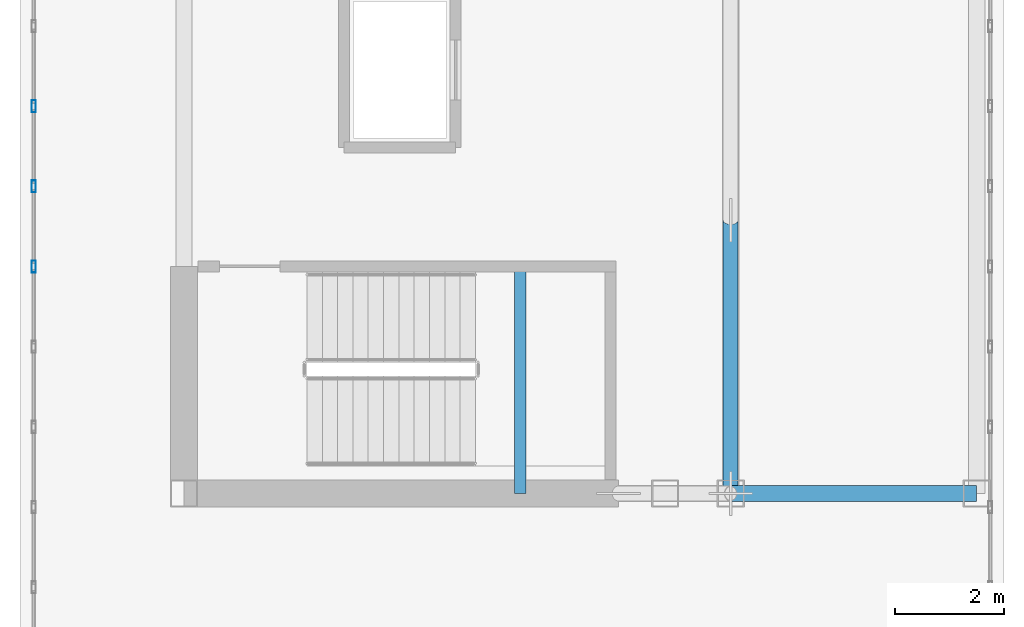
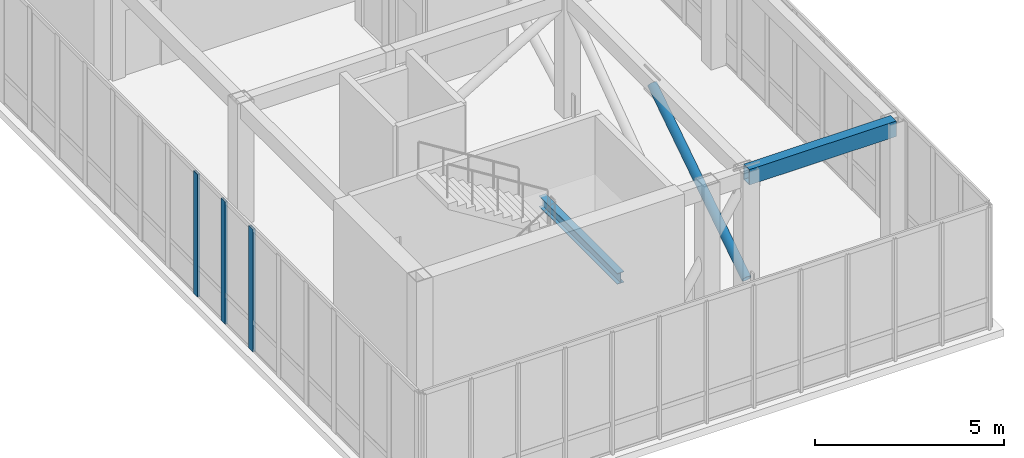
# One storey, part 3 of 13: 4 members, 2 beams, 1 element without a shape of its own.
"""IFC4 building model written with IfcOpenShell, lengths in metres."""

from ifc_helpers import new_model, si_unit, direction, frame, origin, origin_2d, place, context, subcontext, project, spatial, hollow_rectangle, hollow_circle, i_section, extrude, source, transform, mapped, material, layer, layer_set, material_profile, profile_set, type_object, element, aggregate, save


model = new_model("IFC4")

# Units and contexts
model_context = context("Model", 3, precision=1e-05, world=origin(), true_north=direction((0.0, 1.0)))
body_context = subcontext(model_context, "Body", "Model", "MODEL_VIEW")
ifc_project = project(units=[si_unit("LENGTHUNIT", "METRE"), si_unit("AREAUNIT", "SQUARE_METRE"), si_unit("VOLUMEUNIT", "CUBIC_METRE"), si_unit("PLANEANGLEUNIT", "RADIAN"), si_unit("MASSUNIT", "GRAM", prefix="KILO")], contexts=[model_context])

# Site, building, storey
site_placement = place(None, origin())
site = spatial("IfcSite", under=ifc_project, at=site_placement, CompositionType="ELEMENT")
building_placement = place(site_placement, origin())
building = spatial("IfcBuilding", under=site, at=building_placement, Name="Kharzan Plaza Tower", CompositionType="ELEMENT")
storey_placement = place(building_placement, frame((0.0, 0.0, 277.199951171875)))
storey = spatial("IfcBuildingStorey", under=building, at=storey_placement, Name="L75-CROWN", CompositionType="ELEMENT", Elevation=277.199951171875)

# Beams
ifc_material_1 = material(Name="Steel S355", Category="steel")
ifc_material_profile_1 = material_profile(ifc_material_1, i_section(OverallWidth=0.205078125, OverallDepth=0.35400390625, WebThickness=0.009521484375, FlangeThickness=0.016845703125, at=origin_2d()), Name="W360x79")
ifc_profile_set_1 = profile_set([ifc_material_profile_1], Name="Steel S355")
beam_type_1 = type_object("IfcBeamType", Name="BM-LNT360", PredefinedType="LINTEL", material=ifc_profile_set_1)
shared_shape_1 = source(origin(), body_context, "Body", "SweptSolid", [
    extrude(i_section(OverallWidth=0.205078125, OverallDepth=0.35400390625, WebThickness=0.009521484375, FlangeThickness=0.016845703125, at=origin_2d()), origin(), (0.0, 0.0, 1.0), 4.155029296875),
])
beam_1_placement = place(storey_placement, frame((10.64990234375, 8.5, 1.72314453125), z_axis=(0.0, 1.0, 0.0), x_axis=(-1.0, 0.0, 0.0)))
element("IfcBeam", 1, at=beam_1_placement, inside=storey, type_object=beam_type_1, Name="L75-CROWN Stair ST-1 Half-Landing Beam", PredefinedType="LINTEL", context=body_context, shape_type="MappedRepresentation", body=[
    mapped(shared_shape_1, transform((0.0, 0.0, 0.0), x_axis=(1.0, 0.0, 0.0), y_axis=(0.0, 1.0, 0.0), z_axis=(0.0, 0.0, 1.0))),
])
ifc_material_profile_2 = material_profile(ifc_material_1, hollow_rectangle(XDim=0.300048828125, YDim=0.5, WallThickness=0.02001953125, at=origin_2d()), Name="RHS500x300x20")
ifc_profile_set_2 = profile_set([ifc_material_profile_2], Name="Steel S355")
beam_type_2 = type_object("IfcBeamType", Name="BM-CRN500", PredefinedType="BEAM", material=ifc_profile_set_2)
shared_shape_2 = source(origin(), body_context, "Body", "SweptSolid", [
    extrude(hollow_rectangle(XDim=0.300048828125, YDim=0.5, WallThickness=0.02001953125, at=origin_2d()), origin(), (0.0, 0.0, 1.0), 4.5),
])
beam_2_placement = place(storey_placement, frame((14.5, 8.5, 3.719970703125), z_axis=(1.0, 0.0, 0.0), x_axis=(0.0, 1.0, 0.0)))
element("IfcBeam", 2, at=beam_2_placement, inside=storey, type_object=beam_type_2, Name="L75-CROWN CROWN FRAME Lantern Ring Beam CRB-S3", PredefinedType="BEAM", context=body_context, shape_type="MappedRepresentation", body=[
    mapped(shared_shape_2, transform((0.0, 0.0, 0.0), x_axis=(1.0, 0.0, 0.0), y_axis=(0.0, 1.0, 0.0), z_axis=(0.0, 0.0, 1.0))),
])

# Member
ifc_material_profile_3 = material_profile(ifc_material_1, hollow_circle(Radius=0.136474609375, WallThickness=0.010009765625, at=origin_2d()), Name="CHS273x10")
ifc_profile_set_3 = profile_set([ifc_material_profile_3], Name="Steel S355")
member_type_1 = type_object("IfcMemberType", Name="MEM-CRN-DIAG", PredefinedType="BRACE", material=ifc_profile_set_3)
shared_shape_3 = source(origin(), body_context, "Body", "SweptSolid", [
    extrude(hollow_circle(Radius=0.136474609375, WallThickness=0.010009765625, at=origin_2d()), origin(), (0.0, 0.0, 1.0), 5.974365234375),
])
member_1_placement = place(storey_placement, frame((14.5, 8.5, 0.35009765625), z_axis=(0.0, 0.836909137571, 0.547341845148), x_axis=(-1.0, 0.0, 0.0)))
element("IfcMember", 3, at=member_1_placement, inside=storey, type_object=member_type_1, Name="L75-CROWN CROWN FRAME Diagonal Wind Brace CRD-S1", PredefinedType="BRACE", context=body_context, shape_type="MappedRepresentation", body=[
    mapped(shared_shape_3, transform((0.0, 0.0, 0.0), x_axis=(1.0, 0.0, 0.0), y_axis=(0.0, 1.0, 0.0), z_axis=(0.0, 0.0, 1.0))),
])

# Curtain wall, members
ifc_material_2 = material(Name="Unitised Bronze-Anodized Aluminium and Low-E Glass", Category="aluminium")
ifc_layer = layer(ifc_material_2, 0.199951171875)
ifc_layer_set = layer_set([ifc_layer], Name="Unitised Bronze-Anodized Aluminium and Low-E Glass")
curtain_wall_type = type_object("IfcCurtainWallType", Name="CW-LANTERN-6", PredefinedType="NOTDEFINED", material=ifc_layer_set)
curtain_wall_placement = place(storey_placement, origin())
curtain_wall = element("IfcCurtainWall", 4, at=curtain_wall_placement, inside=storey, type_object=curtain_wall_type, Name="L75-CROWN Lantern Crown Illuminated Curtain Wall 4", PredefinedType="NOTDEFINED")
ifc_material_3 = material(Name="Anodized Bronze Aluminium", Category="aluminium")
ifc_material_profile_4 = material_profile(ifc_material_3, hollow_rectangle(XDim=0.074951171875, YDim=0.219970703125, WallThickness=0.00390625, at=origin_2d()), Name="ALU-M220x75x4")
ifc_profile_set_4 = profile_set([ifc_material_profile_4], Name="Anodized Bronze Aluminium")
member_type_2 = type_object("IfcMemberType", Name="MEM-CW-MUL200", PredefinedType="MULLION", material=ifc_profile_set_4)
shared_shape_4 = source(origin(), body_context, "Body", "SweptSolid", [
    extrude(hollow_rectangle(XDim=0.074951171875, YDim=0.219970703125, WallThickness=0.00390625, at=origin_2d()), origin(), (0.0, 0.0, 1.0), 3.969970703125),
])
member_2_placement = place(storey_placement, frame((1.75, 15.583251953125, 0.0), z_axis=(0.0, 0.0, 1.0), x_axis=(1.0, 0.0, 0.0)))
member_2 = element("IfcMember", 5, at=member_2_placement, type_object=member_type_2, Name="L75-CROWN Curtain-Wall Mullion 13", PredefinedType="MULLION", context=body_context, shape_type="MappedRepresentation", body=[
    mapped(shared_shape_4, transform((0.0, 0.0, 0.0), x_axis=(1.0, 0.0, 0.0), y_axis=(0.0, 1.0, 0.0), z_axis=(0.0, 0.0, 1.0))),
])
member_3_placement = place(storey_placement, frame((1.75, 14.11669921875, 0.0), z_axis=(0.0, 0.0, 1.0), x_axis=(1.0, 0.0, 0.0)))
member_3 = element("IfcMember", 6, at=member_3_placement, type_object=member_type_2, Name="L75-CROWN Curtain-Wall Mullion 14", PredefinedType="MULLION", context=body_context, shape_type="MappedRepresentation", body=[
    mapped(shared_shape_4, transform((0.0, 0.0, 0.0), x_axis=(1.0, 0.0, 0.0), y_axis=(0.0, 1.0, 0.0), z_axis=(0.0, 0.0, 1.0))),
])
member_4_placement = place(storey_placement, frame((1.75, 12.64990234375, 0.0), z_axis=(0.0, 0.0, 1.0), x_axis=(1.0, 0.0, 0.0)))
member_4 = element("IfcMember", 7, at=member_4_placement, type_object=member_type_2, Name="L75-CROWN Curtain-Wall Mullion 15", PredefinedType="MULLION", context=body_context, shape_type="MappedRepresentation", body=[
    mapped(shared_shape_4, transform((0.0, 0.0, 0.0), x_axis=(1.0, 0.0, 0.0), y_axis=(0.0, 1.0, 0.0), z_axis=(0.0, 0.0, 1.0))),
])
aggregate(curtain_wall, [member_2, member_3, member_4])

save(model, "model.ifc")
